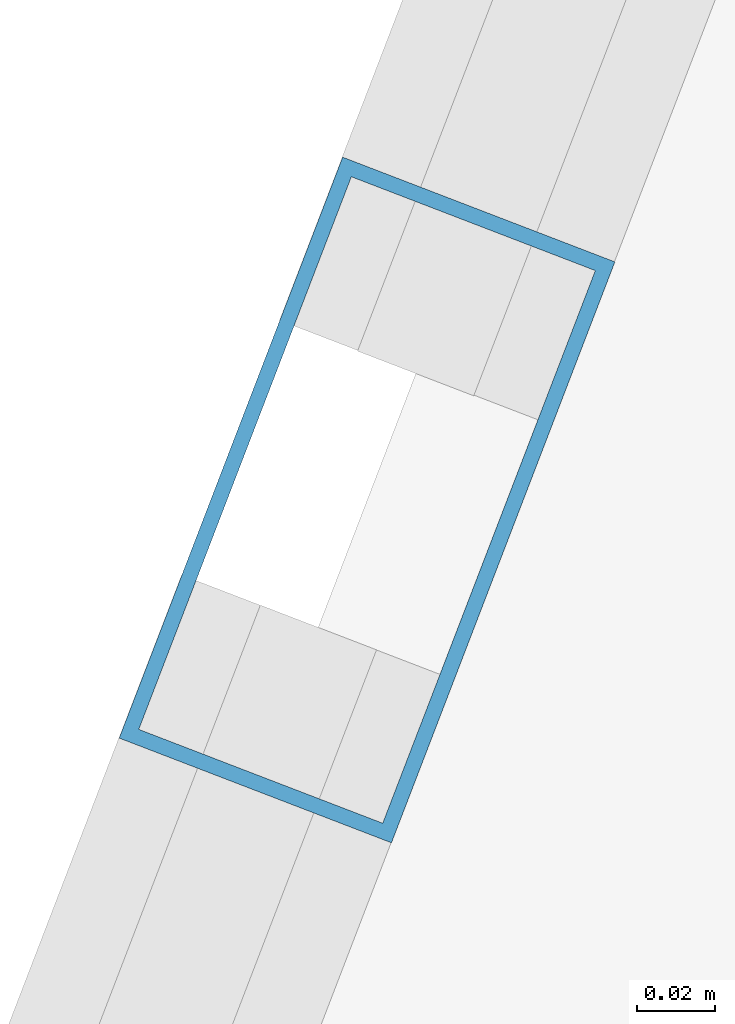
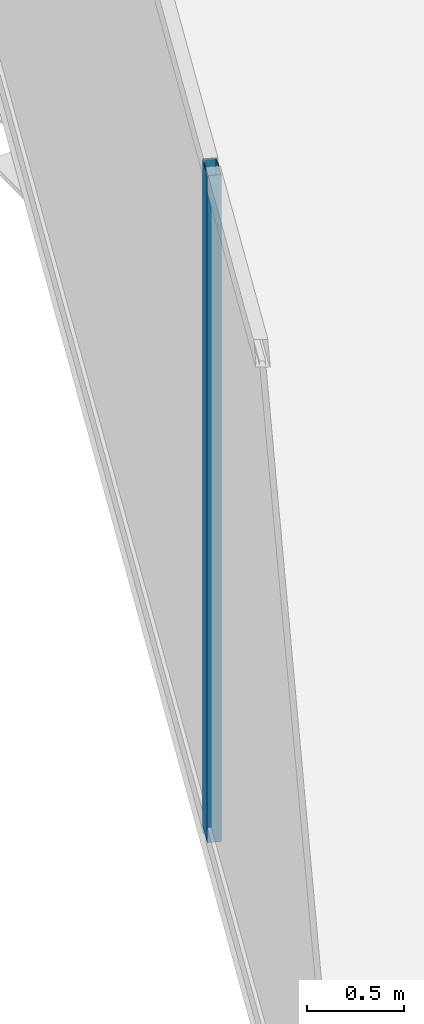
# One storey, part 10 of 31: 1 member, 1 element without a shape of its own.
"""IFC4 building model written with IfcOpenShell, lengths in metres."""

from ifc_helpers import new_model, si_unit, direction, frame, origin, origin_2d, place, context, subcontext, project, spatial, hollow_rectangle, extrude, material, layer, layer_set, material_profile, profile_set, type_object, element, aggregate, save


model = new_model("IFC4")

# Units and contexts
model_context = context("Model", 3, precision=1e-05, world=origin(), true_north=direction((0.0, 1.0)))
body_context = subcontext(model_context, "Body", "Model", "MODEL_VIEW")
ifc_project = project(units=[si_unit("LENGTHUNIT", "METRE"), si_unit("AREAUNIT", "SQUARE_METRE"), si_unit("VOLUMEUNIT", "CUBIC_METRE"), si_unit("PLANEANGLEUNIT", "RADIAN"), si_unit("MASSUNIT", "GRAM", prefix="KILO")], contexts=[model_context])

# Site, building, storey
site_placement = place(None, origin())
site = spatial("IfcSite", under=ifc_project, at=site_placement, CompositionType="ELEMENT")
building_placement = place(site_placement, origin())
building = spatial("IfcBuilding", under=site, at=building_placement, Name="Keshet Zoharim Tower", CompositionType="ELEMENT")
storey_placement = place(building_placement, frame((0.0, 0.0, 183.89990234375)))
storey = spatial("IfcBuildingStorey", under=building, at=storey_placement, Name="L45", CompositionType="ELEMENT", Elevation=183.89990234375)

# Curtain wall, member
ifc_material = material(Name="Aluminium 6063-T6", Category="aluminium")
ifc_layer = layer(ifc_material, 0.139892578125)
ifc_layer_set = layer_set([ifc_layer], Name="Aluminium 6063-T6")
curtain_wall_type = type_object("IfcCurtainWallType", Name="CW-SYS-05", PredefinedType="NOTDEFINED", material=ifc_layer_set)
curtain_wall_placement = place(storey_placement, origin())
curtain_wall = element("IfcCurtainWall", 1, at=curtain_wall_placement, inside=storey, type_object=curtain_wall_type, Name="L45 Unitised Curtain Wall 18", PredefinedType="NOTDEFINED")
ifc_material_profile = material_profile(ifc_material, hollow_rectangle(XDim=0.074951171875, YDim=0.159912109375, WallThickness=0.00390625, at=origin_2d()), Name="MUL-75x160")
ifc_profile_set = profile_set([ifc_material_profile], Name="Aluminium 6063-T6")
member_type = type_object("IfcMemberType", Name="CWM-M15", PredefinedType="MULLION", material=ifc_profile_set)
member_placement = place(storey_placement, frame((6.18701171875, 30.986572265625, 0.0), z_axis=(0.0, 0.0, 1.0), x_axis=(-0.933337006853, 0.359001436819, 0.0)))
member = element("IfcMember", 2, at=member_placement, type_object=member_type, Name="CW-05 mullion 2", PredefinedType="MULLION", context=body_context, shape_type="SweptSolid", body=[
    extrude(hollow_rectangle(XDim=0.074951171875, YDim=0.159912109375, WallThickness=0.00390625, at=origin_2d()), origin(), (0.0, 0.0, 1.0), 4.190185546875),
])
aggregate(curtain_wall, [member])

save(model, "model.ifc")
